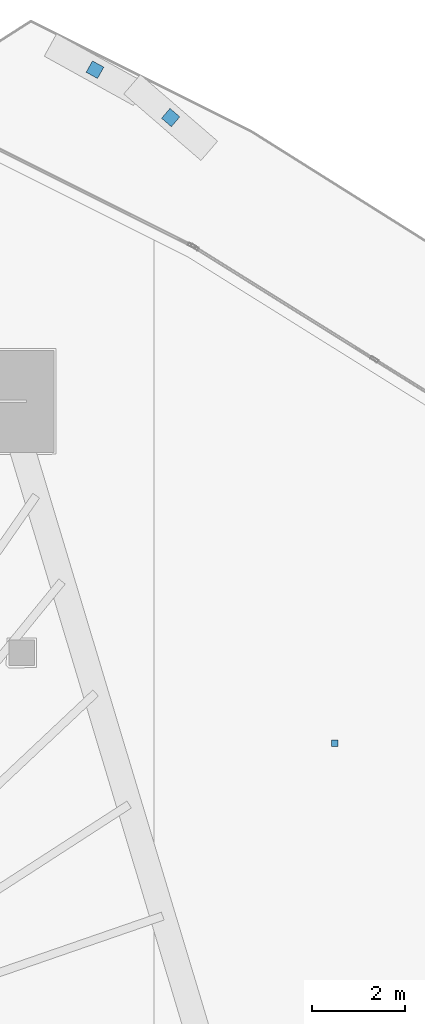
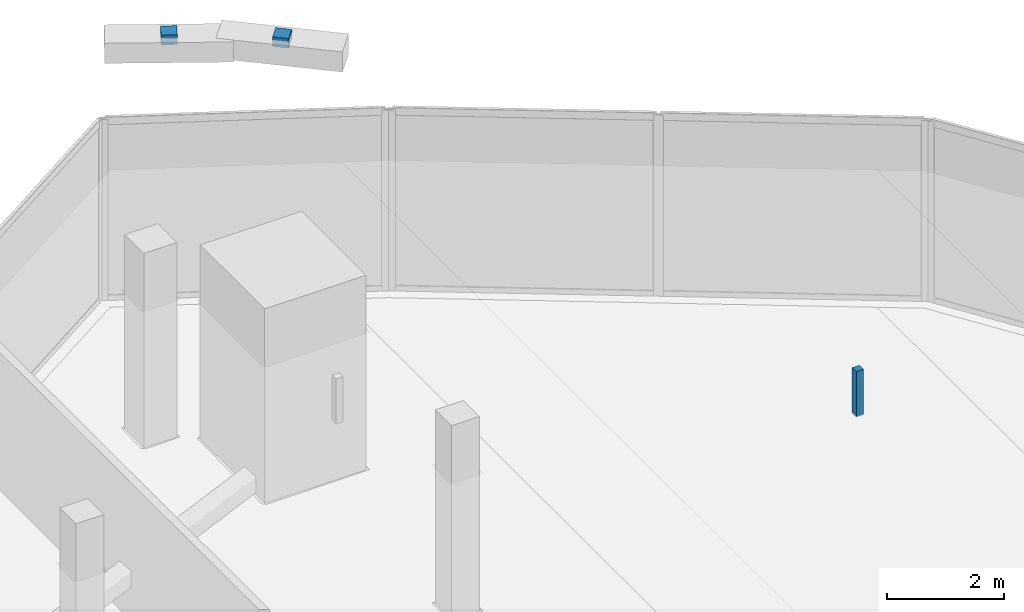
# One storey, part 36 of 45: 3 discrete accessories.
"""IFC4 building model written with IfcOpenShell, lengths in metres."""

from ifc_helpers import new_model, si_unit, direction, frame, origin, origin_2d, place, context, subcontext, project, spatial, rectangle, extrude, material, type_object, element, save


model = new_model("IFC4")

# Units and contexts
model_context = context("Model", 3, precision=1e-05, world=origin(), true_north=direction((0.0, 1.0)))
body_context = subcontext(model_context, "Body", "Model", "MODEL_VIEW")
ifc_project = project(units=[si_unit("LENGTHUNIT", "METRE"), si_unit("AREAUNIT", "SQUARE_METRE"), si_unit("VOLUMEUNIT", "CUBIC_METRE"), si_unit("PLANEANGLEUNIT", "RADIAN"), si_unit("MASSUNIT", "GRAM", prefix="KILO")], contexts=[model_context])

# Site, building, storey
site_placement = place(None, origin())
site = spatial("IfcSite", under=ifc_project, at=site_placement, CompositionType="ELEMENT")
building_placement = place(site_placement, origin())
building = spatial("IfcBuilding", under=site, at=building_placement, Name="Qorvath Tower", CompositionType="ELEMENT")
storey_placement = place(building_placement, frame((0.0, 0.0, 126.0)))
storey = spatial("IfcBuildingStorey", under=building, at=storey_placement, Name="L28", CompositionType="ELEMENT", Elevation=126.0)

# Discrete accessories
ifc_material = material(Name="Galvanised steel bracket", Category="steel")
discrete_accessory_type = type_object("IfcDiscreteAccessoryType", Name="DA-BRACKET", PredefinedType="BRACKET", material=ifc_material)
for number, where, z_axis, x_axis, name in (
    (1, (-11.827392578125, 31.37255859375, 3.6298828125), (0.0, 0.0, 1.0), (-0.757553591462, 0.652772974367, 0.0), "Louvre Wave Support Bracket L28-05"),
    (2, (-13.46142578125, 32.406005859375, 3.6298828125), (0.0, 0.0, 1.0), (-0.874929220455, 0.484250822605, 0.0), "Louvre Wave Support Bracket L28-06"),
):
    element("IfcDiscreteAccessory", number, at=place(storey_placement, frame(where, z_axis=z_axis, x_axis=x_axis)), inside=storey, type_object=discrete_accessory_type, Name=name, PredefinedType="NOTDEFINED", context=body_context, shape_type="SweptSolid", body=[
        extrude(rectangle(XDim=0.280029296875, YDim=0.280029296875, at=origin_2d()), origin(), (0.0, 0.0, 1.0), 0.199951171875),
    ])
discrete_accessory_placement = place(storey_placement, frame((-8.288818359375, 17.860595703125, 2.860107421875), z_axis=(0.0, 0.0, 1.0), x_axis=(1.0, 0.0, 0.0)))
element("IfcDiscreteAccessory", 3, at=discrete_accessory_placement, inside=storey, type_object=discrete_accessory_type, Name="Acoustic Ceiling Suspension Hanger T1-L28-013", PredefinedType="NOTDEFINED", context=body_context, shape_type="SweptSolid", body=[
    extrude(rectangle(XDim=0.139892578125, YDim=0.139892578125, at=origin_2d()), origin(), (0.0, 0.0, 1.0), 0.93994140625),
])

save(model, "model.ifc")
